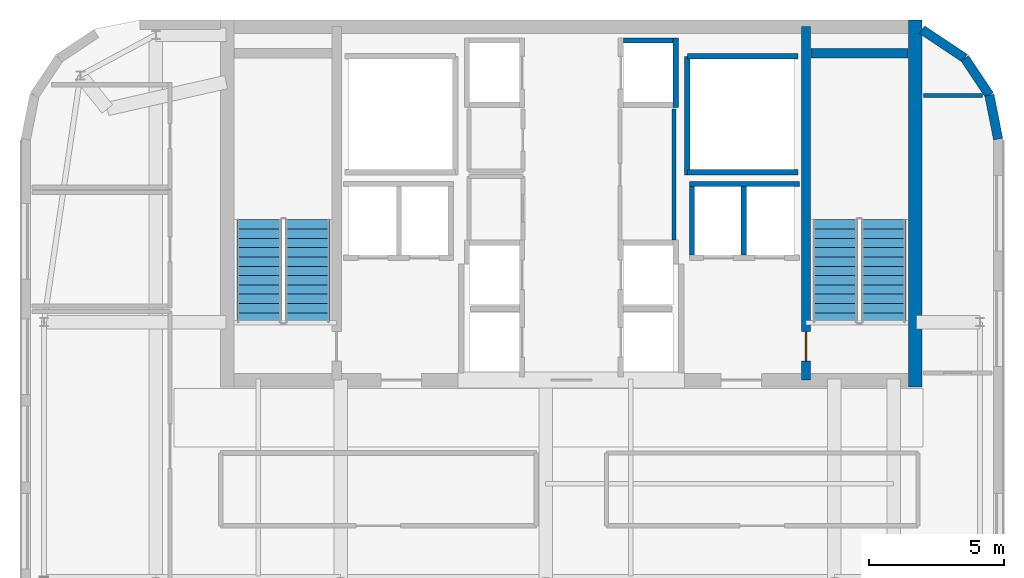
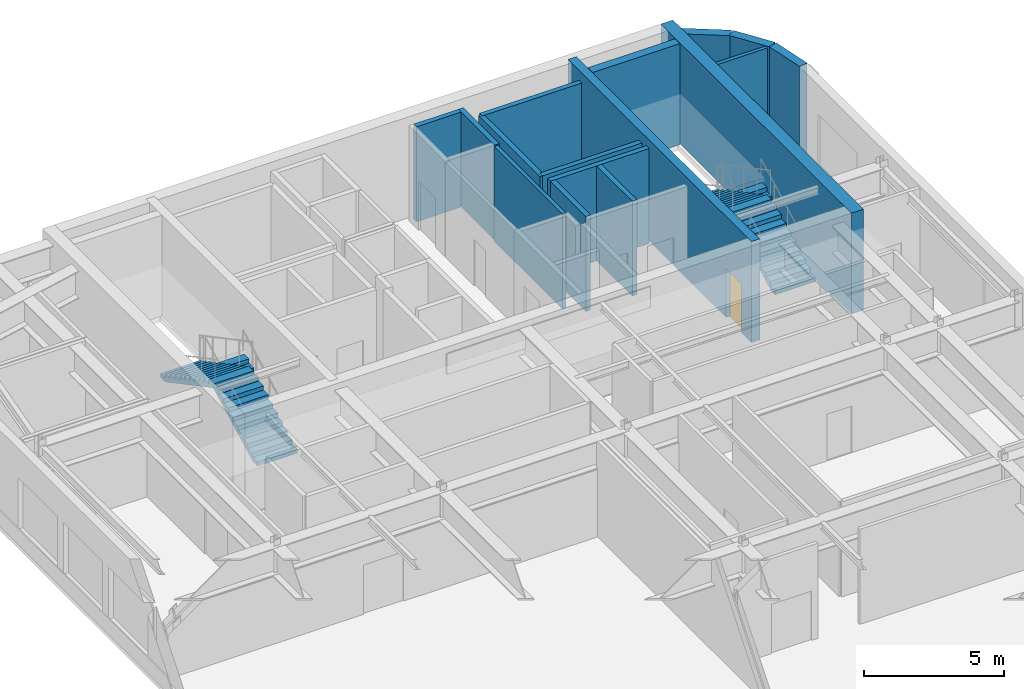
# One storey, part 9 of 13: 16 walls, 4 stair flights, 1 door, 1 opening, 2 elements without a shape of their own.
"""IFC4 building model written with IfcOpenShell, lengths in metres."""

from ifc_helpers import new_model, si_unit, direction, frame, frame_2d, origin, place, context, subcontext, project, spatial, polyline, rectangle, outline, extrude, source, transform, mapped, material, layer, layer_set, type_object, type_shapes, element, fill, aggregate, save


model = new_model("IFC4")

# Units and contexts
model_context = context("Model", 3, precision=1e-05, world=origin(), true_north=direction((0.0, 1.0)))
body_context = subcontext(model_context, "Body", "Model", "MODEL_VIEW")
ifc_project = project(units=[si_unit("LENGTHUNIT", "METRE"), si_unit("AREAUNIT", "SQUARE_METRE"), si_unit("VOLUMEUNIT", "CUBIC_METRE"), si_unit("PLANEANGLEUNIT", "RADIAN"), si_unit("MASSUNIT", "GRAM", prefix="KILO")], contexts=[model_context])

# Site, building, storey
site_placement = place(None, origin())
site = spatial("IfcSite", under=ifc_project, at=site_placement, CompositionType="ELEMENT")
building_placement = place(site_placement, origin())
building = spatial("IfcBuilding", under=site, at=building_placement, Name="Tolvann Quenvar Hotel", CompositionType="ELEMENT")
storey_placement = place(building_placement, frame((0.0, 0.0, 286.550048828125)))
storey = spatial("IfcBuildingStorey", under=building, at=storey_placement, Name="L76", CompositionType="ELEMENT", Elevation=286.550048828125)

# Wall
ifc_material_1 = material(Name="Concrete N50 (50 MPa)", Category="concrete")
ifc_layer_1 = layer(ifc_material_1, 0.5)
ifc_layer_set_1 = layer_set([ifc_layer_1], Name="Concrete N50 (50 MPa)")
wall_type_1 = type_object("IfcWallType", Name="WALL_CORE_500", PredefinedType="SHEAR", material=ifc_layer_set_1)
wall_1_placement = place(storey_placement, frame((35.75, 31.60009765625, 0.0), z_axis=(0.0, 0.0, 1.0), x_axis=(0.0, 1.0, 0.0)))
element("IfcWall", 1, at=wall_1_placement, inside=storey, type_object=wall_type_1, Name="Rear Core E Shear Wall (L76)", PredefinedType="SHEAR", context=body_context, shape_type="SweptSolid", body=[
    extrude(rectangle(XDim=13.599853515625, YDim=0.5, at=frame_2d((6.7998046875, 0.0))), origin(), (0.0, 0.0, 1.0), 4.39990234375),
])

# Wall, opening, door
ifc_material_2 = material(Name="Concrete S65 (65 MPa)", Category="concrete")
ifc_layer_2 = layer(ifc_material_2, 0.35009765625)
ifc_layer_set_2 = layer_set([ifc_layer_2], Name="Concrete S65 (65 MPa)")
wall_type_2 = type_object("IfcWallType", Name="WALL_CORE_INT_350", PredefinedType="SHEAR", material=ifc_layer_set_2)
wall_2_placement = place(storey_placement, frame((31.699951171875, 31.85009765625, 0.0), z_axis=(0.0, 0.0, 1.0), x_axis=(0.0, 1.0, 0.0)))
wall_2 = element("IfcWall", 2, at=wall_2_placement, inside=storey, type_object=wall_type_2, Name="Core Internal Web Shear Wall WEB-E (L76)", PredefinedType="SHEAR", context=body_context, shape_type="SweptSolid", body=[
    extrude(rectangle(XDim=13.099853515625, YDim=0.35009765625, at=frame_2d((6.5498046875, 0.0))), origin(), (0.0, 0.0, 1.0), 4.39990234375),
])
opening_placement = place(wall_2_placement, frame((1.800048828125, 0.0, 0.0), z_axis=(0.0, 0.0, 1.0), x_axis=(-1.0, 0.0, 0.0)))
opening = element("IfcOpeningElement", 3, at=opening_placement, cuts=wall_2, Name="Opening FD-120", PredefinedType="OPENING", context=body_context, shape_type="SweptSolid", body=[
    extrude(rectangle(XDim=1.10009765625, YDim=2.1201171875, at=frame_2d((0.550048828125, 1.06005859375))), frame((0.0, 0.18505859375, 0.0), z_axis=(0.0, -1.0, 0.0), x_axis=(1.0, 0.0, 0.0)), (0.0, 0.0, 1.0), 0.3701171875),
])
ifc_material_3 = material(Name="Pressed galvanised steel fire-rated door set", Category="steel")
door_type = type_object("IfcDoorType", Name="DOOR_FIRE_STAIR_1100", OperationType="NOTDEFINED", PredefinedType="DOOR", material=ifc_material_3)
shared_shape = source(origin(), body_context, "Body", "SweptSolid", [
    extrude(rectangle(XDim=1.10009765625, YDim=2.1201171875, at=frame_2d((0.550048828125, 1.06005859375))), frame((0.0, 0.02490234375, 0.0), z_axis=(0.0, -1.0, 0.0), x_axis=(1.0, 0.0, 0.0)), (0.0, 0.0, 1.0), 0.050048828125),
])
type_shapes(door_type, [shared_shape])
door_placement = place(opening_placement, origin())
door = element("IfcDoor", 4, at=door_placement, inside=storey, type_object=door_type, Name="Exit Stair ST-C2 Fire Door (L76)", OperationType="SINGLE_SWING_RIGHT", OverallHeight=2.1201171875, OverallWidth=1.10009765625, PredefinedType="DOOR", context=body_context, shape_type="MappedRepresentation", body=[
    mapped(shared_shape, transform((0.0, 0.0, 0.0), x_axis=(1.0, 0.0, 0.0), y_axis=(0.0, 1.0, 0.0), z_axis=(0.0, 0.0, 1.0), scale=1.0)),
])
fill(opening, door)

# Walls
wall_3_placement = place(storey_placement, frame((31.8798828125, 43.97509765625, 0.0), z_axis=(0.0, 0.0, 1.0), x_axis=(1.0, 0.0, 0.0)))
element("IfcWall", 5, at=wall_3_placement, inside=storey, type_object=wall_type_2, Name="Core Stair North Closing Shear Wall STC2-N (L76)", PredefinedType="SHEAR", context=body_context, shape_type="SweptSolid", body=[
    extrude(rectangle(XDim=3.60009765625, YDim=0.35009765625, at=frame_2d((1.800048828125, 0.0))), origin(), (0.0, 0.0, 1.0), 4.39990234375),
])
ifc_material_4 = material(Name="Kiln-fired red and buff architectural clay brickwork and terracotta masonry", Category="masonry")
ifc_layer_3 = layer(ifc_material_4, 0.35009765625)
ifc_layer_set_3 = layer_set([ifc_layer_3], Name="Kiln-fired red and buff architectural clay brickwork and terracotta masonry")
wall_type_3 = type_object("IfcWallType", Name="WALL_EXT_BRICK_350", PredefinedType="SOLIDWALL", material=ifc_layer_set_3)
wall_4_placement = place(storey_placement, frame((38.824951171875, 40.78271484375, 0.0), z_axis=(0.0, 0.0, 1.0), x_axis=(-0.195044345786, 0.980794424524, 0.0)))
element("IfcWall", 6, at=wall_4_placement, inside=storey, type_object=wall_type_3, Name="Exterior Chicago Brick Wall L76-E10", PredefinedType="SOLIDWALL", context=body_context, shape_type="SweptSolid", body=[
    extrude(rectangle(XDim=1.664794921875, YDim=0.35009765625, at=frame_2d((0.83251953125, 0.0))), origin(), (0.0, 0.0, 1.0), 4.139892578125),
])
wall_5_placement = place(storey_placement, frame((38.500244140625, 42.41552734375, 0.0), z_axis=(0.0, 0.0, 1.0), x_axis=(-0.555520825599, 0.831502623162, 0.0)))
element("IfcWall", 7, at=wall_5_placement, inside=storey, type_object=wall_type_3, Name="Exterior Chicago Brick Wall L76-E11", PredefinedType="SOLIDWALL", context=body_context, shape_type="SweptSolid", body=[
    extrude(rectangle(XDim=1.647216796875, YDim=0.35009765625, at=frame_2d((0.82373046875, 0.0))), origin(), (0.0, 0.0, 1.0), 4.139892578125),
])
wall_6_placement = place(storey_placement, frame((37.585205078125, 43.78515625, 0.0), z_axis=(0.0, 0.0, 1.0), x_axis=(-0.831516639465, 0.555499845448, 0.0)))
element("IfcWall", 8, at=wall_6_placement, inside=storey, type_object=wall_type_3, Name="Exterior Chicago Brick Wall L76-E12", PredefinedType="SOLIDWALL", context=body_context, shape_type="SweptSolid", body=[
    extrude(rectangle(XDim=1.901611328125, YDim=0.35009765625, at=frame_2d((0.95068359375, 0.0))), origin(), (0.0, 0.0, 1.0), 4.139892578125),
])
ifc_material_5 = material(Name="Acoustic twin-stud fire-rated gypsum plasterboard partition")
ifc_layer_4 = layer(ifc_material_5, 0.14990234375)
ifc_layer_set_4 = layer_set([ifc_layer_4], Name="Acoustic twin-stud fire-rated gypsum plasterboard partition")
wall_type_4 = type_object("IfcWallType", Name="WALL_PART_SUITE_150", PredefinedType="PARTITIONING", material=ifc_layer_set_4)
wall_7_placement = place(storey_placement, frame((26.800048828125, 37.0400390625, 0.0), z_axis=(0.0, 0.0, 1.0), x_axis=(0.0, 1.0, 0.0)))
element("IfcWall", 9, at=wall_7_placement, inside=storey, type_object=wall_type_4, Name="Interior Partition PT-SPC-L76-RECPM-E-E", PredefinedType="PARTITIONING", context=body_context, shape_type="SweptSolid", body=[
    extrude(rectangle(XDim=4.85986328125, YDim=0.14990234375, at=frame_2d((2.429931640625, 0.0))), origin(), (0.0, 0.0, 1.0), 4.139892578125),
])
wall_8_placement = place(storey_placement, frame((36.054931640625, 42.39990234375, 0.0), z_axis=(0.0, 0.0, 1.0), x_axis=(1.0, 0.0, 0.0)))
element("IfcWall", 10, at=wall_8_placement, inside=storey, type_object=wall_type_4, Name="Interior Partition PT-SPC-L76-RECPL-N", PredefinedType="PARTITIONING", context=body_context, shape_type="SweptSolid", body=[
    extrude(rectangle(XDim=2.178955078125, YDim=0.14990234375, at=frame_2d((1.08935546875, 0.0))), origin(), (0.0, 0.0, 1.0), 4.139892578125),
])
ifc_material_6 = material(Name="Concrete N40 (40 MPa)", Category="concrete")
ifc_layer_5 = layer(ifc_material_6, 0.199951171875)
ifc_layer_set_5 = layer_set([ifc_layer_5], Name="Concrete N40 (40 MPa)")
wall_type_5 = type_object("IfcWallType", Name="WALL_SHAFT_200", PredefinedType="SOLIDWALL", material=ifc_layer_set_5)
wall_9_placement = place(storey_placement, frame((27.300048828125, 39.449951171875, 0.0), z_axis=(0.0, 0.0, 1.0), x_axis=(0.0, 1.0, 0.0)))
element("IfcWall", 11, at=wall_9_placement, inside=storey, type_object=wall_type_5, Name="Service Riser E Shaft Wall IN (L76)", PredefinedType="SOLIDWALL", context=body_context, shape_type="SweptSolid", body=[
    extrude(rectangle(XDim=4.400146484375, YDim=0.199951171875, at=frame_2d((2.2001953125, 0.0))), origin(), (0.0, 0.0, 1.0), 4.139892578125),
])
for number, where, z_axis, x_axis, name in (
    (12, (27.300048828125, 39.550048828125, 0.0), (0.0, 0.0, 1.0), (1.0, 0.0, 0.0), "Service Riser E Shaft Wall S (L76)"),
    (13, (27.300048828125, 43.85009765625, 0.0), (0.0, 0.0, 1.0), (1.0, 0.0, 0.0), "Service Riser E Shaft Wall N (L76)"),
):
    element("IfcWall", number, at=place(storey_placement, frame(where, z_axis=z_axis, x_axis=x_axis)), inside=storey, type_object=wall_type_5, Name=name, PredefinedType="SOLIDWALL", context=body_context, shape_type="SweptSolid", body=[
        extrude(rectangle(XDim=4.099853515625, YDim=0.199951171875, at=frame_2d((2.0498046875, 0.0))), origin(), (0.0, 0.0, 1.0), 4.139892578125),
    ])
wall_10_placement = place(storey_placement, frame((27.375, 39.1201171875, 0.0), z_axis=(0.0, 0.0, 1.0), x_axis=(1.0, 0.0, 0.0)))
element("IfcWall", 14, at=wall_10_placement, inside=storey, type_object=wall_type_5, Name="Lift Bank SEC1 Hoistway Rear Wall (L76)", PredefinedType="SOLIDWALL", context=body_context, shape_type="SweptSolid", body=[
    extrude(rectangle(XDim=4.074951171875, YDim=0.199951171875, at=frame_2d((2.03759765625, 0.0))), origin(), (0.0, 0.0, 1.0), 4.139892578125),
])
for number, where, z_axis, x_axis, name in (
    (15, (27.47509765625, 36.47998046875, 0.0), (0.0, 0.0, 1.0), (0.0, 1.0, 0.0), "Lift Bank SEC1 Hoistway Cheek Wall 1 (L76)"),
    (16, (29.387451171875, 36.47998046875, 0.0), (0.0, 0.0, 1.0), (0.0, 1.0, 0.0), "Lift Bank SEC1 Divider Wall 1 (L76)"),
):
    element("IfcWall", number, at=place(storey_placement, frame(where, z_axis=z_axis, x_axis=x_axis)), inside=storey, type_object=wall_type_5, Name=name, PredefinedType="SOLIDWALL", context=body_context, shape_type="SweptSolid", body=[
        extrude(rectangle(XDim=2.5400390625, YDim=0.199951171875, at=frame_2d((1.27001953125, 0.0))), origin(), (0.0, 0.0, 1.0), 4.139892578125),
    ])
wall_11_placement = place(storey_placement, frame((26.8701171875, 41.9599609375, 0.0), z_axis=(0.0, 0.0, 1.0), x_axis=(0.0, 1.0, 0.0)))
element("IfcWall", 17, at=wall_11_placement, inside=storey, type_object=wall_type_5, Name="Lift Bank W24.9C2 Hoistway Rear Wall (L76)", PredefinedType="SOLIDWALL", context=body_context, shape_type="SweptSolid", body=[
    extrude(rectangle(XDim=2.580078125, YDim=0.199951171875, at=frame_2d((1.2900390625, 0.0))), origin(), (0.0, 0.0, 1.0), 4.139892578125),
])
wall_12_placement = place(storey_placement, frame((24.929931640625, 44.43994140625, 0.0), z_axis=(0.0, 0.0, 1.0), x_axis=(1.0, 0.0, 0.0)))
element("IfcWall", 18, at=wall_12_placement, inside=storey, type_object=wall_type_5, Name="Lift Bank W24.9C2 Hoistway Cheek Wall 2 (L76)", PredefinedType="SOLIDWALL", context=body_context, shape_type="SweptSolid", body=[
    extrude(rectangle(XDim=1.840087890625, YDim=0.199951171875, at=frame_2d((0.919921875, 0.0))), origin(), (0.0, 0.0, 1.0), 4.139892578125),
])

# Stair, stair flights
stair_type = type_object("IfcStairType", Name="STAIR", PredefinedType="HALF_TURN_STAIR", material=ifc_material_6)
stair_1_placement = place(storey_placement, origin())
stair_1 = element("IfcStair", 19, at=stair_1_placement, inside=storey, type_object=stair_type, Name="L76 ST-C1", PredefinedType="HALF_TURN_STAIR")
stair_flight_type = type_object("IfcStairFlightType", Name="STAIR_FLIGHT", PredefinedType="STRAIGHT", material=ifc_material_6)
stair_flight_1_placement = place(storey_placement, frame((13.22509765625, 34.0, 0.0), z_axis=(0.0, 0.0, 1.0), x_axis=(0.0, 1.0, 0.0)))
stair_flight_1 = element("IfcStairFlight", 20, at=stair_flight_1_placement, type_object=stair_flight_type, Name="ST-C1 flight 1", NumberOfRisers=12, NumberOfTreads=11, PredefinedType="STRAIGHT", RiserHeight=0.183333333, TreadLength=0.345, context=body_context, shape_type="SweptSolid", body=[
    extrude(outline(polyline([(0.0, 0.0), (0.0, 0.183349609375), (0.344970703125, 0.183349609375), (0.344970703125, 0.36669921875), (0.68994140625, 0.36669921875), (0.68994140625, 0.550048828125), (1.034912109375, 0.550048828125), (1.034912109375, 0.7333984375), (1.3798828125, 0.7333984375), (1.3798828125, 0.916748046875), (1.72509765625, 0.916748046875), (1.72509765625, 1.10009765625), (2.070068359375, 1.10009765625), (2.070068359375, 1.283447265625), (2.4150390625, 1.283447265625), (2.4150390625, 1.466552734375), (2.760009765625, 1.466552734375), (2.760009765625, 1.64990234375), (3.10498046875, 1.64990234375), (3.10498046875, 1.833251953125), (3.449951171875, 1.833251953125), (3.449951171875, 2.0166015625), (3.794921875, 2.0166015625), (3.794921875, 2.199951171875), (3.794921875, 1.846923828125), (0.3193359375, 0.0), (0.0, 0.0)])), frame((0.0, 0.824951171875, 0.0), z_axis=(0.0, -1.0, 0.0), x_axis=(1.0, 0.0, 0.0)), (0.0, 0.0, 1.0), 1.64990234375),
])
stair_flight_2_placement = place(storey_placement, frame((11.425048828125, 37.794921875, 2.199951171875), z_axis=(0.0, 0.0, 1.0), x_axis=(0.0, -1.0, 0.0)))
stair_flight_2 = element("IfcStairFlight", 21, at=stair_flight_2_placement, type_object=stair_flight_type, Name="ST-C1 flight 2", NumberOfRisers=12, NumberOfTreads=11, PredefinedType="STRAIGHT", RiserHeight=0.183333333, TreadLength=0.345, context=body_context, shape_type="SweptSolid", body=[
    extrude(outline(polyline([(0.0, 0.0), (0.0, 0.183349609375), (0.344970703125, 0.183349609375), (0.344970703125, 0.36669921875), (0.68994140625, 0.36669921875), (0.68994140625, 0.550048828125), (1.034912109375, 0.550048828125), (1.034912109375, 0.7333984375), (1.3798828125, 0.7333984375), (1.3798828125, 0.916748046875), (1.72509765625, 0.916748046875), (1.72509765625, 1.10009765625), (2.070068359375, 1.10009765625), (2.070068359375, 1.283447265625), (2.4150390625, 1.283447265625), (2.4150390625, 1.466552734375), (2.760009765625, 1.466552734375), (2.760009765625, 1.64990234375), (3.10498046875, 1.64990234375), (3.10498046875, 1.833251953125), (3.449951171875, 1.833251953125), (3.449951171875, 2.0166015625), (3.794921875, 2.0166015625), (3.794921875, 2.199951171875), (3.794921875, 1.846923828125), (0.3193359375, 0.0), (0.0, 0.0)])), frame((0.0, 0.824951171875, 0.0), z_axis=(0.0, -1.0, 0.0), x_axis=(1.0, 0.0, 0.0)), (0.0, 0.0, 1.0), 1.64990234375),
])
aggregate(stair_1, [stair_flight_1, stair_flight_2])

stair_2_placement = place(storey_placement, origin())
stair_2 = element("IfcStair", 22, at=stair_2_placement, inside=storey, type_object=stair_type, Name="L76 ST-C2", PredefinedType="HALF_TURN_STAIR")
stair_flight_3_placement = place(storey_placement, frame((34.574951171875, 34.0, 0.0), z_axis=(0.0, 0.0, 1.0), x_axis=(0.0, 1.0, 0.0)))
stair_flight_3 = element("IfcStairFlight", 23, at=stair_flight_3_placement, type_object=stair_flight_type, Name="ST-C2 flight 1", NumberOfRisers=12, NumberOfTreads=11, PredefinedType="STRAIGHT", RiserHeight=0.183333333, TreadLength=0.345, context=body_context, shape_type="SweptSolid", body=[
    extrude(outline(polyline([(0.0, 0.0), (0.0, 0.183349609375), (0.344970703125, 0.183349609375), (0.344970703125, 0.36669921875), (0.68994140625, 0.36669921875), (0.68994140625, 0.550048828125), (1.034912109375, 0.550048828125), (1.034912109375, 0.7333984375), (1.3798828125, 0.7333984375), (1.3798828125, 0.916748046875), (1.72509765625, 0.916748046875), (1.72509765625, 1.10009765625), (2.070068359375, 1.10009765625), (2.070068359375, 1.283447265625), (2.4150390625, 1.283447265625), (2.4150390625, 1.466552734375), (2.760009765625, 1.466552734375), (2.760009765625, 1.64990234375), (3.10498046875, 1.64990234375), (3.10498046875, 1.833251953125), (3.449951171875, 1.833251953125), (3.449951171875, 2.0166015625), (3.794921875, 2.0166015625), (3.794921875, 2.199951171875), (3.794921875, 1.846923828125), (0.3193359375, 0.0), (0.0, 0.0)])), frame((0.0, 0.824951171875, 0.0), z_axis=(0.0, -1.0, 0.0), x_axis=(1.0, 0.0, 0.0)), (0.0, 0.0, 1.0), 1.64990234375),
])
stair_flight_4_placement = place(storey_placement, frame((32.77490234375, 37.794921875, 2.199951171875), z_axis=(0.0, 0.0, 1.0), x_axis=(0.0, -1.0, 0.0)))
stair_flight_4 = element("IfcStairFlight", 24, at=stair_flight_4_placement, type_object=stair_flight_type, Name="ST-C2 flight 2", NumberOfRisers=12, NumberOfTreads=11, PredefinedType="STRAIGHT", RiserHeight=0.183333333, TreadLength=0.345, context=body_context, shape_type="SweptSolid", body=[
    extrude(outline(polyline([(0.0, 0.0), (0.0, 0.183349609375), (0.344970703125, 0.183349609375), (0.344970703125, 0.36669921875), (0.68994140625, 0.36669921875), (0.68994140625, 0.550048828125), (1.034912109375, 0.550048828125), (1.034912109375, 0.7333984375), (1.3798828125, 0.7333984375), (1.3798828125, 0.916748046875), (1.72509765625, 0.916748046875), (1.72509765625, 1.10009765625), (2.070068359375, 1.10009765625), (2.070068359375, 1.283447265625), (2.4150390625, 1.283447265625), (2.4150390625, 1.466552734375), (2.760009765625, 1.466552734375), (2.760009765625, 1.64990234375), (3.10498046875, 1.64990234375), (3.10498046875, 1.833251953125), (3.449951171875, 1.833251953125), (3.449951171875, 2.0166015625), (3.794921875, 2.0166015625), (3.794921875, 2.199951171875), (3.794921875, 1.846923828125), (0.3193359375, 0.0), (0.0, 0.0)])), frame((0.0, 0.824951171875, 0.0), z_axis=(0.0, -1.0, 0.0), x_axis=(1.0, 0.0, 0.0)), (0.0, 0.0, 1.0), 1.64990234375),
])
aggregate(stair_2, [stair_flight_3, stair_flight_4])

save(model, "model.ifc")
